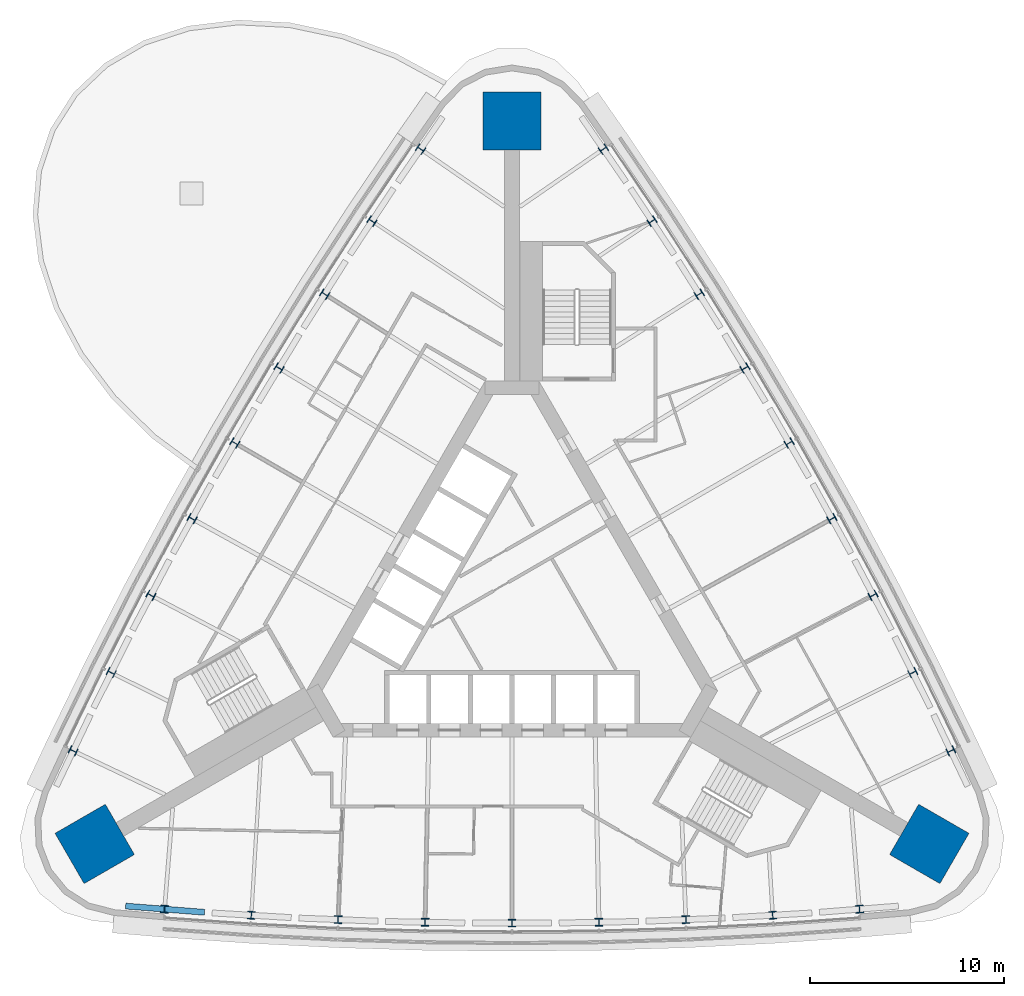
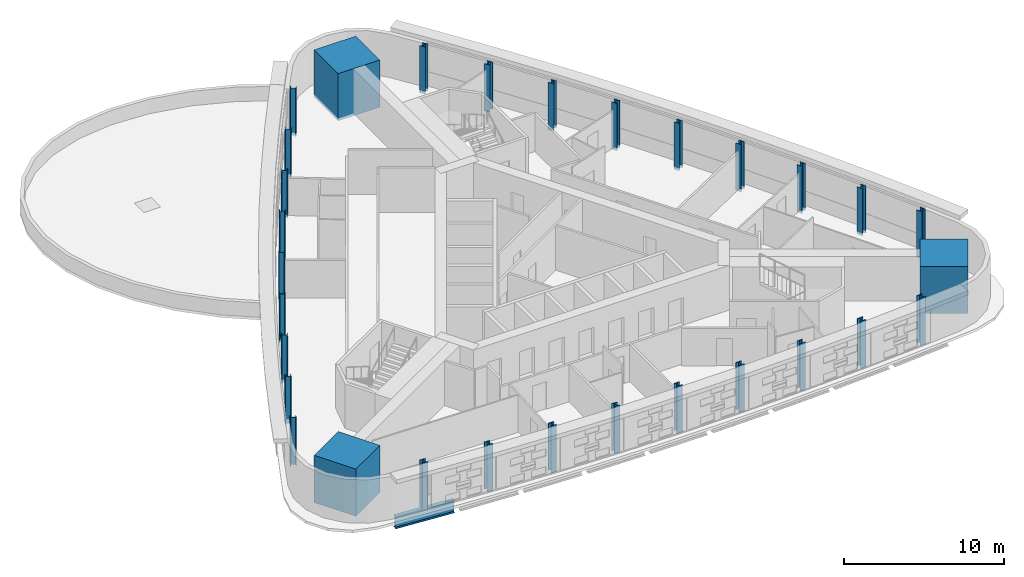
# One storey, part 1 of 12: 30 columns, 1 beam.
"""IFC4 building model written with IfcOpenShell, lengths in metres."""

from ifc_helpers import new_model, si_unit, direction, frame, origin, origin_2d, place, context, subcontext, project, spatial, rectangle, i_section, extrude, material, material_profile, profile_set, type_object, element, save


model = new_model("IFC4")

# Units and contexts
model_context = context("Model", 3, precision=1e-05, world=origin(), true_north=direction((0.0, 1.0)))
body_context = subcontext(model_context, "Body", "Model", "MODEL_VIEW")
ifc_project = project(units=[si_unit("LENGTHUNIT", "METRE"), si_unit("AREAUNIT", "SQUARE_METRE"), si_unit("VOLUMEUNIT", "CUBIC_METRE"), si_unit("PLANEANGLEUNIT", "RADIAN"), si_unit("MASSUNIT", "GRAM", prefix="KILO")], contexts=[model_context])

# Site, building, storey
site_placement = place(None, origin())
site = spatial("IfcSite", under=ifc_project, at=site_placement, CompositionType="ELEMENT")
building_placement = place(site_placement, origin())
building = spatial("IfcBuilding", under=site, at=building_placement, Name="Noor Cloister Tower", CompositionType="ELEMENT")
storey_placement = place(building_placement, frame((0.0, 0.0, 105.89990234375)))
storey = spatial("IfcBuildingStorey", under=building, at=storey_placement, Name="L27", CompositionType="ELEMENT", Elevation=105.89990234375)

# Columns
ifc_material_1 = material(Name="Steel ASTM A992 Gr 50", Category="steel")
ifc_material_profile_1 = material_profile(ifc_material_1, i_section(OverallWidth=0.40087890625, OverallDepth=0.39892578125, WebThickness=0.02490234375, FlangeThickness=0.03955078125, FilletRadius=0.015380859375, at=origin_2d()), Name="W360x314")
ifc_profile_set_1 = profile_set([ifc_material_profile_1], Name="Steel ASTM A992 Gr 50")
column_type_1 = type_object("IfcColumnType", Name="Column W360x314", PredefinedType="COLUMN", material=ifc_profile_set_1)
for number, where, z_axis, x_axis, name in (
    (1, (-4.71826171875, 23.435302734375, -0.199951171875), (0.0, 0.0, 1.0), (-0.567868358088, -0.823119388596, 0.0), "Column NW 01 L27"),
    (2, (-7.230224609375, 19.715087890625, -0.199951171875), (0.0, 0.0, 1.0), (-0.551227784266, -0.834354798544, 0.0), "Column NW 02 L27"),
    (3, (-9.666748046875, 15.945068359375, -0.199951171875), (0.0, 0.0, 1.0), (-0.534364986763, -0.845253844074, 0.0), "Column NW 03 L27"),
    (4, (-12.02734375, 12.126953125, -0.199951171875), (0.0, 0.0, 1.0), (-0.517286763685, -0.855812131321, 0.0), "Column NW 04 L27"),
    (5, (-14.310546875, 8.26220703125, -0.199951171875), (0.0, 0.0, 1.0), (-0.5, -0.866025403784, 0.0), "Column NW 05 L27"),
    (6, (-16.515869140625, 4.3525390625, -0.199951171875), (0.0, 0.0, 1.0), (-0.482511664749, -0.875889544053, 0.0), "Column NW 06 L27"),
    (7, (-18.642333984375, 0.399169921875, -0.199951171875), (0.0, 0.0, 1.0), (-0.464828808233, -0.885400575467, 0.0), "Column NW 07 L27"),
    (8, (-20.68896484375, -3.59619140625, -0.199951171875), (0.0, 0.0, 1.0), (-0.446958559175, -0.894554663718, 0.0), "Column NW 08 L27"),
    (9, (-22.65478515625, -7.631591796875, -0.199951171875), (0.0, 0.0, 1.0), (-0.428908121828, -0.903348118407, 0.0), "Column NW 09 L27"),
    (10, (-17.9365234375, -15.8037109375, -0.199951171875), (0.0, 0.0, 1.0), (0.996776479916, -0.080228729812, 0.0), "Column S 01 L27"),
    (11, (-13.458740234375, -16.119140625, -0.199951171875), (0.0, 0.0, 1.0), (0.998186343441, -0.060199865175, 0.0), "Column S 02 L27"),
    (12, (-8.9755859375, -16.34423828125, -0.199951171875), (0.0, 0.0, 1.0), (0.999193794996, -0.040146731393, 0.0), "Column S 03 L27"),
    (13, (-4.48876953125, -16.4794921875, -0.199951171875), (0.0, 0.0, 1.0), (0.999798428433, -0.020077412732, 0.0), "Column S 04 L27"),
    (14, (0.0, -16.5244140625, -0.199951171875), (0.0, 0.0, 1.0), (1.0, 0.0, 0.0), "Column S 05 L27"),
    (15, (4.48876953125, -16.4794921875, -0.199951171875), (0.0, 0.0, 1.0), (0.999798428433, 0.020077412732, 0.0), "Column S 06 L27"),
    (16, (8.9755859375, -16.34423828125, -0.199951171875), (0.0, 0.0, 1.0), (0.999193794996, 0.040146731393, 0.0), "Column S 07 L27"),
    (17, (13.458740234375, -16.119140625, -0.199951171875), (0.0, 0.0, 1.0), (0.998186343441, 0.060199865175, 0.0), "Column S 08 L27"),
    (18, (17.9365234375, -15.8037109375, -0.199951171875), (0.0, 0.0, 1.0), (0.996776479916, 0.080228729812, 0.0), "Column S 09 L27"),
    (19, (22.65478515625, -7.631591796875, -0.199951171875), (0.0, 0.0, 1.0), (-0.428908121828, 0.903348118407, 0.0), "Column NE 01 L27"),
    (20, (20.68896484375, -3.59619140625, -0.199951171875), (0.0, 0.0, 1.0), (-0.446958559175, 0.894554663718, 0.0), "Column NE 02 L27"),
    (21, (18.642333984375, 0.399169921875, -0.199951171875), (0.0, 0.0, 1.0), (-0.464828808233, 0.885400575467, 0.0), "Column NE 03 L27"),
    (22, (16.515869140625, 4.3525390625, -0.199951171875), (0.0, 0.0, 1.0), (-0.482511664749, 0.875889544053, 0.0), "Column NE 04 L27"),
    (23, (14.310546875, 8.26220703125, -0.199951171875), (0.0, 0.0, 1.0), (-0.5, 0.866025403784, 0.0), "Column NE 05 L27"),
    (24, (12.02734375, 12.126953125, -0.199951171875), (0.0, 0.0, 1.0), (-0.517286763685, 0.855812131321, 0.0), "Column NE 06 L27"),
    (25, (9.666748046875, 15.945068359375, -0.199951171875), (0.0, 0.0, 1.0), (-0.534364986763, 0.845253844074, 0.0), "Column NE 07 L27"),
    (26, (7.230224609375, 19.715087890625, -0.199951171875), (0.0, 0.0, 1.0), (-0.551227784266, 0.834354798544, 0.0), "Column NE 08 L27"),
    (27, (4.71826171875, 23.435302734375, -0.199951171875), (0.0, 0.0, 1.0), (-0.567868358088, 0.823119388596, 0.0), "Column NE 09 L27"),
):
    element("IfcColumn", number, at=place(storey_placement, frame(where, z_axis=z_axis, x_axis=x_axis)), inside=storey, type_object=column_type_1, Name=name, PredefinedType="COLUMN", context=body_context, shape_type="SweptSolid", body=[
        extrude(i_section(OverallWidth=0.40087890625, OverallDepth=0.39892578125, WebThickness=0.02490234375, FlangeThickness=0.03955078125, FilletRadius=0.015380859375, at=origin_2d()), origin(), (0.0, 0.0, 1.0), 3.60009765625),
    ])
ifc_material_2 = material(Name="Concrete C80/95", Category="concrete")
ifc_material_profile_2 = material_profile(ifc_material_2, rectangle(XDim=3.0, YDim=3.0, at=origin_2d()), Name="RC 3000x3000")
ifc_profile_set_2 = profile_set([ifc_material_profile_2], Name="Concrete C80/95")
column_type_2 = type_object("IfcColumnType", Name="Corner pier 3000 x 3000 C80/95", PredefinedType="COLUMN", material=ifc_profile_set_2)
for number, where, z_axis, x_axis, name in (
    (28, (0.0, 24.875, -0.199951171875), (0.0, 0.0, 1.0), (0.0, 1.0, 0.0), "Corner pier N L27"),
    (29, (-21.54248046875, -12.4375, -0.199951171875), (0.0, 0.0, 1.0), (-0.866025403784, -0.5, 0.0), "Corner pier SW L27"),
    (30, (21.54248046875, -12.4375, -0.199951171875), (0.0, 0.0, 1.0), (0.866025403784, -0.5, 0.0), "Corner pier SE L27"),
):
    element("IfcColumn", number, at=place(storey_placement, frame(where, z_axis=z_axis, x_axis=x_axis)), inside=storey, type_object=column_type_2, Name=name, PredefinedType="COLUMN", context=body_context, shape_type="SweptSolid", body=[
        extrude(rectangle(XDim=3.0, YDim=3.0, at=origin_2d()), origin(), (0.0, 0.0, 1.0), 3.60009765625),
    ])

# Beam
ifc_material_3 = material(Name="Steel ASTM A992 Gr 50", Category="steel")
ifc_material_profile_3 = material_profile(ifc_material_3, i_section(OverallWidth=0.304931640625, OverallDepth=0.9189453125, WebThickness=0.017333984375, FlangeThickness=0.02783203125, FilletRadius=0.01904296875, at=origin_2d()), Name="W920x253")
ifc_profile_set_3 = profile_set([ifc_material_profile_3], Name="Steel ASTM A992 Gr 50")
beam_type = type_object("IfcBeamType", Name="Transfer girder W920x253", PredefinedType="BEAM", material=ifc_profile_set_3)
beam_placement = place(storey_placement, frame((-19.947021484375, -15.645263671875, -0.659423828125), z_axis=(0.996902216322, -0.078650944641, 0.0), x_axis=(0.078650944641, 0.996902216322, 0.0)))
element("IfcBeam", 31, at=beam_placement, inside=storey, type_object=beam_type, Name="Transfer girder S 01 L27", PredefinedType="BEAM", context=body_context, shape_type="SweptSolid", body=[
    extrude(i_section(OverallWidth=0.304931640625, OverallDepth=0.9189453125, WebThickness=0.017333984375, FlangeThickness=0.02783203125, FilletRadius=0.01904296875, at=origin_2d()), origin(), (0.0, 0.0, 1.0), 4.088134765625),
])

save(model, "model.ifc")
